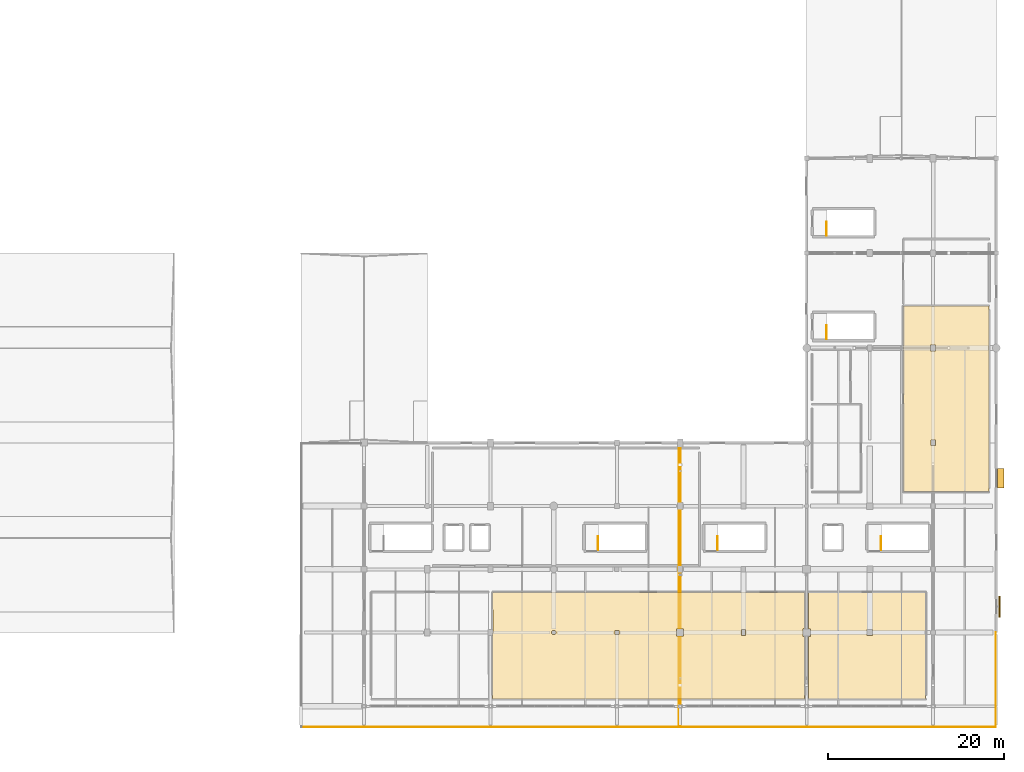
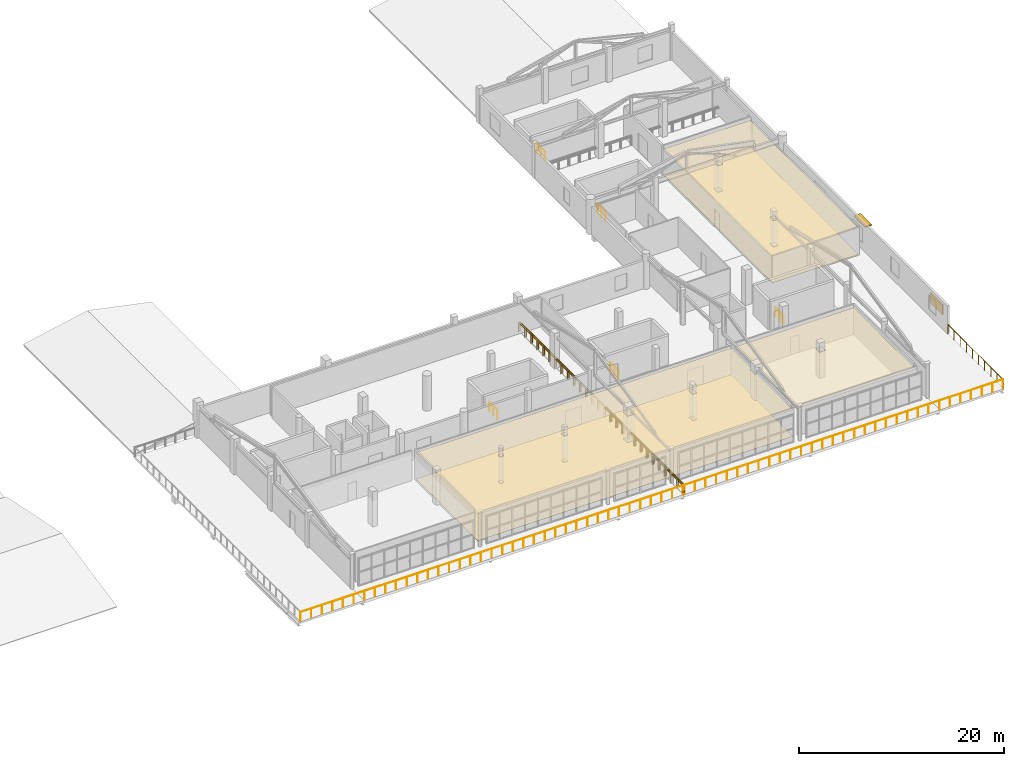
# One storey, part 40 of 41: 10 railings, 5 coverings, 2 shading devices.
"""IFC4 building model written with IfcOpenShell, lengths in metres."""

from ifc_helpers import new_model, si_unit, direction, frame, origin, origin_2d, place, context, subcontext, project, spatial, polyline, rectangle, circle, outline, extrude, material, layer, layer_set, type_object, element, save


model = new_model("IFC4")

# Units and contexts
model_context = context("Model", 3, precision=1e-05, world=origin(), true_north=direction((0.0, 1.0)))
body_context = subcontext(model_context, "Body", "Model", "MODEL_VIEW")
ifc_project = project(units=[si_unit("LENGTHUNIT", "METRE"), si_unit("AREAUNIT", "SQUARE_METRE"), si_unit("VOLUMEUNIT", "CUBIC_METRE"), si_unit("PLANEANGLEUNIT", "RADIAN"), si_unit("MASSUNIT", "GRAM", prefix="KILO")], contexts=[model_context])

# Site, building, storey
site_placement = place(None, origin())
site = spatial("IfcSite", under=ifc_project, at=site_placement, CompositionType="ELEMENT")
building_placement = place(site_placement, origin())
building = spatial("IfcBuilding", under=site, at=building_placement, Name="Solanera Park Tramway Depot", CompositionType="ELEMENT")
storey_placement = place(building_placement, frame((0.0, 0.0, 13.199951171875)))
storey = spatial("IfcBuildingStorey", under=building, at=storey_placement, Name="L03", CompositionType="ELEMENT", Elevation=13.199951171875)

# Coverings
ifc_material_1 = material(Name="Acoustic perforated plasterboard and mineral-fibre ceiling")
ifc_layer_1 = layer(ifc_material_1, 0.02001953125)
ifc_layer_set_1 = layer_set([ifc_layer_1], Name="Acoustic perforated plasterboard and mineral-fibre ceiling")
covering_type_1 = type_object("IfcCoveringType", Name="Acoustic Mineral-Fibre Ceiling 20", PredefinedType="CEILING", material=ifc_layer_set_1)
covering_1_placement = place(storey_placement, frame((0.0, 0.0, 3.150146484375)))
element("IfcCovering", 1, at=covering_1_placement, inside=storey, type_object=covering_type_1, Name="Transit Authority Civic Boardroom Acoustic Ceiling", PredefinedType="CEILING", context=body_context, shape_type="SweptSolid", body=[
    extrude(outline(polyline([(129.840087890625, 15.360107421875), (165.360107421875, 15.360107421875), (165.360107421875, 11.22802734375), (165.172119140625, 11.22802734375), (165.172119140625, 10.3720703125), (165.360107421875, 10.3720703125), (165.360107421875, 3.239990234375), (129.840087890625, 3.239990234375), (129.840087890625, 10.447021484375), (129.8779296875, 11.153076171875), (129.840087890625, 15.360107421875)]), holes=[polyline([(136.940673828125, 11.010498046875), (136.849365234375, 11.048095703125), (136.75048828125, 11.048095703125), (136.659423828125, 11.010498046875), (136.589599609375, 10.940673828125), (136.552001953125, 10.849365234375), (136.552001953125, 10.75048828125), (136.589599609375, 10.659423828125), (136.659423828125, 10.589599609375), (136.75048828125, 10.552001953125), (136.849365234375, 10.552001953125), (136.940673828125, 10.589599609375), (137.010498046875, 10.659423828125), (137.048095703125, 10.75048828125), (137.048095703125, 10.849365234375), (137.010498046875, 10.940673828125), (136.940673828125, 11.010498046875)]), polyline([(143.77197265625, 10.572021484375), (144.22802734375, 10.572021484375), (144.22802734375, 11.028076171875), (143.77197265625, 11.028076171875), (143.77197265625, 10.572021484375)]), polyline([(150.797119140625, 11.202880859375), (150.797119140625, 10.39697265625), (151.60302734375, 10.39697265625), (151.60302734375, 11.202880859375), (150.797119140625, 11.202880859375)]), polyline([(158.6279296875, 11.153076171875), (158.172119140625, 11.153076171875), (158.172119140625, 10.447021484375), (158.6279296875, 10.447021484375), (158.6279296875, 11.153076171875)])]), origin(), (0.0, 0.0, 1.0), 0.02001953125),
])
covering_2_placement = place(storey_placement, frame((0.0, 0.0, 3.150146484375)))
element("IfcCovering", 2, at=covering_2_placement, inside=storey, type_object=covering_type_1, Name="Procurement, Legal and Safety Directorate Acoustic Ceiling", PredefinedType="CEILING", context=body_context, shape_type="SweptSolid", body=[
    extrude(outline(polyline([(165.840087890625, 10.3720703125), (166.028076171875, 10.3720703125), (166.028076171875, 11.22802734375), (165.840087890625, 11.22802734375), (165.840087890625, 15.360107421875), (179.159912109375, 15.360107421875), (179.159912109375, 3.239990234375), (165.840087890625, 3.239990234375), (165.840087890625, 10.3720703125)]), holes=[polyline([(173.1279296875, 10.471923828125), (173.1279296875, 11.1279296875), (172.471923828125, 11.1279296875), (172.471923828125, 10.471923828125), (173.1279296875, 10.471923828125)])]), origin(), (0.0, 0.0, 1.0), 0.02001953125),
])
covering_3_placement = place(storey_placement, frame((0.0, 0.0, 3.150146484375)))
element("IfcCovering", 3, at=covering_3_placement, inside=storey, type_object=covering_type_1, Name="Azotea Staff Lounge and Kitchenette Acoustic Ceiling", PredefinedType="CEILING", context=body_context, shape_type="SweptSolid", body=[
    extrude(outline(polyline([(176.639892578125, 47.9599609375), (186.360107421875, 47.9599609375), (186.360107421875, 26.840087890625), (176.639892578125, 26.840087890625), (176.639892578125, 47.9599609375)]), holes=[polyline([(180.2529296875, 32.72802734375), (179.7470703125, 32.72802734375), (179.7470703125, 32.072021484375), (180.2529296875, 32.072021484375), (180.2529296875, 32.72802734375)]), polyline([(180.278076171875, 42.846923828125), (180.278076171875, 43.552978515625), (179.721923828125, 43.552978515625), (179.721923828125, 42.846923828125), (180.278076171875, 42.846923828125)])]), origin(), (0.0, 0.0, 1.0), 0.02001953125),
])

# Railings
ifc_material_2 = material(Name="Powder-coated galvanised steel balustrade", Category="steel")
ifc_layer_2 = layer(ifc_material_2, 0.06005859375)
ifc_layer_set_2 = layer_set([ifc_layer_2], Name="Powder-coated galvanised steel balustrade")
railing_type_1 = type_object("IfcRailingType", Name="Classical Wrought-Style Balustrade 1120", PredefinedType="BALUSTRADE", material=ifc_layer_set_2)
railing_1_placement = place(storey_placement, frame((151.090087890625, 32.080078125, 0.0)))
element("IfcRailing", 4, at=railing_1_placement, inside=storey, type_object=railing_type_1, Name="L03 Perimeter Deck Balustrade #052", PredefinedType="BALUSTRADE", context=body_context, shape_type="SweptSolid", body=[
    extrude(circle(Radius=0.02392578125, at=origin_2d()), frame((0.0, 0.0, 1.09619140625), z_axis=(0.0, -1.0, 0.0), x_axis=(1.0, 0.0, 0.0)), (0.0, 0.0, 1.0), 32.02001953125),
    extrude(circle(Radius=0.02099609375, at=origin_2d()), origin(), (0.0, 0.0, 1.0), 1.072021484375),
    extrude(circle(Radius=0.02099609375, at=origin_2d()), frame((0.0, -1.18603515625, 0.0)), (0.0, 0.0, 1.0), 1.072021484375),
    extrude(circle(Radius=0.02099609375, at=origin_2d()), frame((0.0, -2.371826171875, 0.0)), (0.0, 0.0, 1.0), 1.072021484375),
    extrude(circle(Radius=0.02099609375, at=origin_2d()), frame((0.0, -3.557861328125, 0.0)), (0.0, 0.0, 1.0), 1.072021484375),
    extrude(circle(Radius=0.02099609375, at=origin_2d()), frame((0.0, -4.74365234375, 0.0)), (0.0, 0.0, 1.0), 1.072021484375),
    extrude(circle(Radius=0.02099609375, at=origin_2d()), frame((0.0, -5.9296875, 0.0)), (0.0, 0.0, 1.0), 1.072021484375),
    extrude(circle(Radius=0.02099609375, at=origin_2d()), frame((0.0, -7.115478515625, 0.0)), (0.0, 0.0, 1.0), 1.072021484375),
    extrude(circle(Radius=0.02099609375, at=origin_2d()), frame((0.0, -8.301513671875, 0.0)), (0.0, 0.0, 1.0), 1.072021484375),
    extrude(circle(Radius=0.02099609375, at=origin_2d()), frame((0.0, -9.4873046875, 0.0)), (0.0, 0.0, 1.0), 1.072021484375),
    extrude(circle(Radius=0.02099609375, at=origin_2d()), frame((0.0, -10.67333984375, 0.0)), (0.0, 0.0, 1.0), 1.072021484375),
    extrude(circle(Radius=0.02099609375, at=origin_2d()), frame((0.0, -11.859375, 0.0)), (0.0, 0.0, 1.0), 1.072021484375),
    extrude(circle(Radius=0.02099609375, at=origin_2d()), frame((0.0, -13.045166015625, 0.0)), (0.0, 0.0, 1.0), 1.072021484375),
    extrude(circle(Radius=0.02099609375, at=origin_2d()), frame((0.0, -14.231201171875, 0.0)), (0.0, 0.0, 1.0), 1.072021484375),
    extrude(circle(Radius=0.02099609375, at=origin_2d()), frame((0.0, -15.4169921875, 0.0)), (0.0, 0.0, 1.0), 1.072021484375),
    extrude(circle(Radius=0.02099609375, at=origin_2d()), frame((0.0, -16.60302734375, 0.0)), (0.0, 0.0, 1.0), 1.072021484375),
    extrude(circle(Radius=0.02099609375, at=origin_2d()), frame((0.0, -17.788818359375, 0.0)), (0.0, 0.0, 1.0), 1.072021484375),
    extrude(circle(Radius=0.02099609375, at=origin_2d()), frame((0.0, -18.974853515625, 0.0)), (0.0, 0.0, 1.0), 1.072021484375),
    extrude(circle(Radius=0.02099609375, at=origin_2d()), frame((0.0, -20.16064453125, 0.0)), (0.0, 0.0, 1.0), 1.072021484375),
    extrude(circle(Radius=0.02099609375, at=origin_2d()), frame((0.0, -21.3466796875, 0.0)), (0.0, 0.0, 1.0), 1.072021484375),
    extrude(circle(Radius=0.02099609375, at=origin_2d()), frame((0.0, -22.53271484375, 0.0)), (0.0, 0.0, 1.0), 1.072021484375),
    extrude(circle(Radius=0.02099609375, at=origin_2d()), frame((0.0, -23.718505859375, 0.0)), (0.0, 0.0, 1.0), 1.072021484375),
    extrude(circle(Radius=0.02099609375, at=origin_2d()), frame((0.0, -24.904541015625, 0.0)), (0.0, 0.0, 1.0), 1.072021484375),
    extrude(circle(Radius=0.02099609375, at=origin_2d()), frame((0.0, -26.09033203125, 0.0)), (0.0, 0.0, 1.0), 1.072021484375),
    extrude(circle(Radius=0.02099609375, at=origin_2d()), frame((0.0, -27.2763671875, 0.0)), (0.0, 0.0, 1.0), 1.072021484375),
    extrude(circle(Radius=0.02099609375, at=origin_2d()), frame((0.0, -28.462158203125, 0.0)), (0.0, 0.0, 1.0), 1.072021484375),
    extrude(circle(Radius=0.02099609375, at=origin_2d()), frame((0.0, -29.648193359375, 0.0)), (0.0, 0.0, 1.0), 1.072021484375),
    extrude(circle(Radius=0.02099609375, at=origin_2d()), frame((0.0, -30.833984375, 0.0)), (0.0, 0.0, 1.0), 1.072021484375),
    extrude(circle(Radius=0.02099609375, at=origin_2d()), frame((0.0, -32.02001953125, 0.0)), (0.0, 0.0, 1.0), 1.072021484375),
])
railing_2_placement = place(storey_placement, frame((151.090087890625, 0.06005859375, 0.0)))
element("IfcRailing", 5, at=railing_2_placement, inside=storey, type_object=railing_type_1, Name="L03 Perimeter Deck Balustrade #053", PredefinedType="BALUSTRADE", context=body_context, shape_type="SweptSolid", body=[
    extrude(circle(Radius=0.02392578125, at=origin_2d()), frame((0.0, 0.0, 1.09619140625), z_axis=(-1.0, 0.0, 0.0), x_axis=(0.0, -1.0, 0.0)), (0.0, 0.0, 1.0), 43.030029296875),
    extrude(circle(Radius=0.02099609375, at=origin_2d()), origin(), (0.0, 0.0, 1.0), 1.072021484375),
    extrude(circle(Radius=0.02099609375, at=origin_2d()), frame((-1.1953125, 0.0, 0.0)), (0.0, 0.0, 1.0), 1.072021484375),
    extrude(circle(Radius=0.02099609375, at=origin_2d()), frame((-2.390625, 0.0, 0.0)), (0.0, 0.0, 1.0), 1.072021484375),
    extrude(circle(Radius=0.02099609375, at=origin_2d()), frame((-3.5859375, 0.0, 0.0)), (0.0, 0.0, 1.0), 1.072021484375),
    extrude(circle(Radius=0.02099609375, at=origin_2d()), frame((-4.781005859375, 0.0, 0.0)), (0.0, 0.0, 1.0), 1.072021484375),
    extrude(circle(Radius=0.02099609375, at=origin_2d()), frame((-5.976318359375, 0.0, 0.0)), (0.0, 0.0, 1.0), 1.072021484375),
    extrude(circle(Radius=0.02099609375, at=origin_2d()), frame((-7.171630859375, 0.0, 0.0)), (0.0, 0.0, 1.0), 1.072021484375),
    extrude(circle(Radius=0.02099609375, at=origin_2d()), frame((-8.366943359375, 0.0, 0.0)), (0.0, 0.0, 1.0), 1.072021484375),
    extrude(circle(Radius=0.02099609375, at=origin_2d()), frame((-9.562255859375, 0.0, 0.0)), (0.0, 0.0, 1.0), 1.072021484375),
    extrude(circle(Radius=0.02099609375, at=origin_2d()), frame((-10.757568359375, 0.0, 0.0)), (0.0, 0.0, 1.0), 1.072021484375),
    extrude(circle(Radius=0.02099609375, at=origin_2d()), frame((-11.952880859375, 0.0, 0.0)), (0.0, 0.0, 1.0), 1.072021484375),
    extrude(circle(Radius=0.02099609375, at=origin_2d()), frame((-13.14794921875, 0.0, 0.0)), (0.0, 0.0, 1.0), 1.072021484375),
    extrude(circle(Radius=0.02099609375, at=origin_2d()), frame((-14.34326171875, 0.0, 0.0)), (0.0, 0.0, 1.0), 1.072021484375),
    extrude(circle(Radius=0.02099609375, at=origin_2d()), frame((-15.53857421875, 0.0, 0.0)), (0.0, 0.0, 1.0), 1.072021484375),
    extrude(circle(Radius=0.02099609375, at=origin_2d()), frame((-16.73388671875, 0.0, 0.0)), (0.0, 0.0, 1.0), 1.072021484375),
    extrude(circle(Radius=0.02099609375, at=origin_2d()), frame((-17.92919921875, 0.0, 0.0)), (0.0, 0.0, 1.0), 1.072021484375),
    extrude(circle(Radius=0.02099609375, at=origin_2d()), frame((-19.12451171875, 0.0, 0.0)), (0.0, 0.0, 1.0), 1.072021484375),
    extrude(circle(Radius=0.02099609375, at=origin_2d()), frame((-20.31982421875, 0.0, 0.0)), (0.0, 0.0, 1.0), 1.072021484375),
    extrude(circle(Radius=0.02099609375, at=origin_2d()), frame((-21.51513671875, 0.0, 0.0)), (0.0, 0.0, 1.0), 1.072021484375),
    extrude(circle(Radius=0.02099609375, at=origin_2d()), frame((-22.710205078125, 0.0, 0.0)), (0.0, 0.0, 1.0), 1.072021484375),
    extrude(circle(Radius=0.02099609375, at=origin_2d()), frame((-23.905517578125, 0.0, 0.0)), (0.0, 0.0, 1.0), 1.072021484375),
    extrude(circle(Radius=0.02099609375, at=origin_2d()), frame((-25.100830078125, 0.0, 0.0)), (0.0, 0.0, 1.0), 1.072021484375),
    extrude(circle(Radius=0.02099609375, at=origin_2d()), frame((-26.296142578125, 0.0, 0.0)), (0.0, 0.0, 1.0), 1.072021484375),
    extrude(circle(Radius=0.02099609375, at=origin_2d()), frame((-27.491455078125, 0.0, 0.0)), (0.0, 0.0, 1.0), 1.072021484375),
    extrude(circle(Radius=0.02099609375, at=origin_2d()), frame((-28.686767578125, 0.0, 0.0)), (0.0, 0.0, 1.0), 1.072021484375),
    extrude(circle(Radius=0.02099609375, at=origin_2d()), frame((-29.882080078125, 0.0, 0.0)), (0.0, 0.0, 1.0), 1.072021484375),
    extrude(circle(Radius=0.02099609375, at=origin_2d()), frame((-31.0771484375, 0.0, 0.0)), (0.0, 0.0, 1.0), 1.072021484375),
    extrude(circle(Radius=0.02099609375, at=origin_2d()), frame((-32.2724609375, 0.0, 0.0)), (0.0, 0.0, 1.0), 1.072021484375),
    extrude(circle(Radius=0.02099609375, at=origin_2d()), frame((-33.4677734375, 0.0, 0.0)), (0.0, 0.0, 1.0), 1.072021484375),
    extrude(circle(Radius=0.02099609375, at=origin_2d()), frame((-34.6630859375, 0.0, 0.0)), (0.0, 0.0, 1.0), 1.072021484375),
    extrude(circle(Radius=0.02099609375, at=origin_2d()), frame((-35.8583984375, 0.0, 0.0)), (0.0, 0.0, 1.0), 1.072021484375),
    extrude(circle(Radius=0.02099609375, at=origin_2d()), frame((-37.0537109375, 0.0, 0.0)), (0.0, 0.0, 1.0), 1.072021484375),
    extrude(circle(Radius=0.02099609375, at=origin_2d()), frame((-38.2490234375, 0.0, 0.0)), (0.0, 0.0, 1.0), 1.072021484375),
    extrude(circle(Radius=0.02099609375, at=origin_2d()), frame((-39.444091796875, 0.0, 0.0)), (0.0, 0.0, 1.0), 1.072021484375),
    extrude(circle(Radius=0.02099609375, at=origin_2d()), frame((-40.639404296875, 0.0, 0.0)), (0.0, 0.0, 1.0), 1.072021484375),
    extrude(circle(Radius=0.02099609375, at=origin_2d()), frame((-41.834716796875, 0.0, 0.0)), (0.0, 0.0, 1.0), 1.072021484375),
    extrude(circle(Radius=0.02099609375, at=origin_2d()), frame((-43.030029296875, 0.0, 0.0)), (0.0, 0.0, 1.0), 1.072021484375),
])
railing_3_placement = place(storey_placement, frame((187.139892578125, 10.800048828125, 0.0)))
element("IfcRailing", 6, at=railing_3_placement, inside=storey, type_object=railing_type_1, Name="L03 Perimeter Deck Balustrade #056", PredefinedType="BALUSTRADE", context=body_context, shape_type="SweptSolid", body=[
    extrude(circle(Radius=0.02392578125, at=origin_2d()), frame((0.0, 0.0, 1.09619140625), z_axis=(0.0, -1.0, 0.0), x_axis=(1.0, 0.0, 0.0)), (0.0, 0.0, 1.0), 10.739990234375),
    extrude(circle(Radius=0.02099609375, at=origin_2d()), origin(), (0.0, 0.0, 1.0), 1.072021484375),
    extrude(circle(Radius=0.02099609375, at=origin_2d()), frame((0.0, -1.193359375, 0.0)), (0.0, 0.0, 1.0), 1.072021484375),
    extrude(circle(Radius=0.02099609375, at=origin_2d()), frame((0.0, -2.38671875, 0.0)), (0.0, 0.0, 1.0), 1.072021484375),
    extrude(circle(Radius=0.02099609375, at=origin_2d()), frame((0.0, -3.580078125, 0.0)), (0.0, 0.0, 1.0), 1.072021484375),
    extrude(circle(Radius=0.02099609375, at=origin_2d()), frame((0.0, -4.7734375, 0.0)), (0.0, 0.0, 1.0), 1.072021484375),
    extrude(circle(Radius=0.02099609375, at=origin_2d()), frame((0.0, -5.966552734375, 0.0)), (0.0, 0.0, 1.0), 1.072021484375),
    extrude(circle(Radius=0.02099609375, at=origin_2d()), frame((0.0, -7.159912109375, 0.0)), (0.0, 0.0, 1.0), 1.072021484375),
    extrude(circle(Radius=0.02099609375, at=origin_2d()), frame((0.0, -8.353271484375, 0.0)), (0.0, 0.0, 1.0), 1.072021484375),
    extrude(circle(Radius=0.02099609375, at=origin_2d()), frame((0.0, -9.546630859375, 0.0)), (0.0, 0.0, 1.0), 1.072021484375),
    extrude(circle(Radius=0.02099609375, at=origin_2d()), frame((0.0, -10.739990234375, 0.0)), (0.0, 0.0, 1.0), 1.072021484375),
])
railing_4_placement = place(storey_placement, frame((187.139892578125, 0.06005859375, 0.0)))
element("IfcRailing", 7, at=railing_4_placement, inside=storey, type_object=railing_type_1, Name="L03 Perimeter Deck Balustrade #057", PredefinedType="BALUSTRADE", context=body_context, shape_type="SweptSolid", body=[
    extrude(circle(Radius=0.02392578125, at=origin_2d()), frame((0.0, 0.0, 1.09619140625), z_axis=(-1.0, 0.0, 0.0), x_axis=(0.0, -1.0, 0.0)), (0.0, 0.0, 1.0), 35.8798828125),
    extrude(circle(Radius=0.02099609375, at=origin_2d()), origin(), (0.0, 0.0, 1.0), 1.072021484375),
    extrude(circle(Radius=0.02099609375, at=origin_2d()), frame((-1.196044921875, 0.0, 0.0)), (0.0, 0.0, 1.0), 1.072021484375),
    extrude(circle(Radius=0.02099609375, at=origin_2d()), frame((-2.39208984375, 0.0, 0.0)), (0.0, 0.0, 1.0), 1.072021484375),
    extrude(circle(Radius=0.02099609375, at=origin_2d()), frame((-3.587890625, 0.0, 0.0)), (0.0, 0.0, 1.0), 1.072021484375),
    extrude(circle(Radius=0.02099609375, at=origin_2d()), frame((-4.783935546875, 0.0, 0.0)), (0.0, 0.0, 1.0), 1.072021484375),
    extrude(circle(Radius=0.02099609375, at=origin_2d()), frame((-5.97998046875, 0.0, 0.0)), (0.0, 0.0, 1.0), 1.072021484375),
    extrude(circle(Radius=0.02099609375, at=origin_2d()), frame((-7.176025390625, 0.0, 0.0)), (0.0, 0.0, 1.0), 1.072021484375),
    extrude(circle(Radius=0.02099609375, at=origin_2d()), frame((-8.3720703125, 0.0, 0.0)), (0.0, 0.0, 1.0), 1.072021484375),
    extrude(circle(Radius=0.02099609375, at=origin_2d()), frame((-9.56787109375, 0.0, 0.0)), (0.0, 0.0, 1.0), 1.072021484375),
    extrude(circle(Radius=0.02099609375, at=origin_2d()), frame((-10.763916015625, 0.0, 0.0)), (0.0, 0.0, 1.0), 1.072021484375),
    extrude(circle(Radius=0.02099609375, at=origin_2d()), frame((-11.9599609375, 0.0, 0.0)), (0.0, 0.0, 1.0), 1.072021484375),
    extrude(circle(Radius=0.02099609375, at=origin_2d()), frame((-13.156005859375, 0.0, 0.0)), (0.0, 0.0, 1.0), 1.072021484375),
    extrude(circle(Radius=0.02099609375, at=origin_2d()), frame((-14.35205078125, 0.0, 0.0)), (0.0, 0.0, 1.0), 1.072021484375),
    extrude(circle(Radius=0.02099609375, at=origin_2d()), frame((-15.5478515625, 0.0, 0.0)), (0.0, 0.0, 1.0), 1.072021484375),
    extrude(circle(Radius=0.02099609375, at=origin_2d()), frame((-16.743896484375, 0.0, 0.0)), (0.0, 0.0, 1.0), 1.072021484375),
    extrude(circle(Radius=0.02099609375, at=origin_2d()), frame((-17.93994140625, 0.0, 0.0)), (0.0, 0.0, 1.0), 1.072021484375),
    extrude(circle(Radius=0.02099609375, at=origin_2d()), frame((-19.135986328125, 0.0, 0.0)), (0.0, 0.0, 1.0), 1.072021484375),
    extrude(circle(Radius=0.02099609375, at=origin_2d()), frame((-20.33203125, 0.0, 0.0)), (0.0, 0.0, 1.0), 1.072021484375),
    extrude(circle(Radius=0.02099609375, at=origin_2d()), frame((-21.52783203125, 0.0, 0.0)), (0.0, 0.0, 1.0), 1.072021484375),
    extrude(circle(Radius=0.02099609375, at=origin_2d()), frame((-22.723876953125, 0.0, 0.0)), (0.0, 0.0, 1.0), 1.072021484375),
    extrude(circle(Radius=0.02099609375, at=origin_2d()), frame((-23.919921875, 0.0, 0.0)), (0.0, 0.0, 1.0), 1.072021484375),
    extrude(circle(Radius=0.02099609375, at=origin_2d()), frame((-25.115966796875, 0.0, 0.0)), (0.0, 0.0, 1.0), 1.072021484375),
    extrude(circle(Radius=0.02099609375, at=origin_2d()), frame((-26.31201171875, 0.0, 0.0)), (0.0, 0.0, 1.0), 1.072021484375),
    extrude(circle(Radius=0.02099609375, at=origin_2d()), frame((-27.5078125, 0.0, 0.0)), (0.0, 0.0, 1.0), 1.072021484375),
    extrude(circle(Radius=0.02099609375, at=origin_2d()), frame((-28.703857421875, 0.0, 0.0)), (0.0, 0.0, 1.0), 1.072021484375),
    extrude(circle(Radius=0.02099609375, at=origin_2d()), frame((-29.89990234375, 0.0, 0.0)), (0.0, 0.0, 1.0), 1.072021484375),
    extrude(circle(Radius=0.02099609375, at=origin_2d()), frame((-31.095947265625, 0.0, 0.0)), (0.0, 0.0, 1.0), 1.072021484375),
    extrude(circle(Radius=0.02099609375, at=origin_2d()), frame((-32.2919921875, 0.0, 0.0)), (0.0, 0.0, 1.0), 1.072021484375),
    extrude(circle(Radius=0.02099609375, at=origin_2d()), frame((-33.48779296875, 0.0, 0.0)), (0.0, 0.0, 1.0), 1.072021484375),
    extrude(circle(Radius=0.02099609375, at=origin_2d()), frame((-34.683837890625, 0.0, 0.0)), (0.0, 0.0, 1.0), 1.072021484375),
    extrude(circle(Radius=0.02099609375, at=origin_2d()), frame((-35.8798828125, 0.0, 0.0)), (0.0, 0.0, 1.0), 1.072021484375),
])
railing_5_placement = place(storey_placement, frame((151.260009765625, 0.06005859375, 0.0)))
element("IfcRailing", 8, at=railing_5_placement, inside=storey, type_object=railing_type_1, Name="L03 Perimeter Deck Balustrade #058", PredefinedType="BALUSTRADE", context=body_context, shape_type="SweptSolid", body=[
    extrude(circle(Radius=0.02392578125, at=origin_2d()), frame((0.0, 0.0, 1.09619140625), z_axis=(0.0, 1.0, 0.0), x_axis=(-1.0, 0.0, 0.0)), (0.0, 0.0, 1.0), 32.02001953125),
    extrude(circle(Radius=0.02099609375, at=origin_2d()), origin(), (0.0, 0.0, 1.0), 1.072021484375),
    extrude(circle(Radius=0.02099609375, at=origin_2d()), frame((0.0, 1.18603515625, 0.0)), (0.0, 0.0, 1.0), 1.072021484375),
    extrude(circle(Radius=0.02099609375, at=origin_2d()), frame((0.0, 2.371826171875, 0.0)), (0.0, 0.0, 1.0), 1.072021484375),
    extrude(circle(Radius=0.02099609375, at=origin_2d()), frame((0.0, 3.557861328125, 0.0)), (0.0, 0.0, 1.0), 1.072021484375),
    extrude(circle(Radius=0.02099609375, at=origin_2d()), frame((0.0, 4.74365234375, 0.0)), (0.0, 0.0, 1.0), 1.072021484375),
    extrude(circle(Radius=0.02099609375, at=origin_2d()), frame((0.0, 5.9296875, 0.0)), (0.0, 0.0, 1.0), 1.072021484375),
    extrude(circle(Radius=0.02099609375, at=origin_2d()), frame((0.0, 7.115478515625, 0.0)), (0.0, 0.0, 1.0), 1.072021484375),
    extrude(circle(Radius=0.02099609375, at=origin_2d()), frame((0.0, 8.301513671875, 0.0)), (0.0, 0.0, 1.0), 1.072021484375),
    extrude(circle(Radius=0.02099609375, at=origin_2d()), frame((0.0, 9.4873046875, 0.0)), (0.0, 0.0, 1.0), 1.072021484375),
    extrude(circle(Radius=0.02099609375, at=origin_2d()), frame((0.0, 10.67333984375, 0.0)), (0.0, 0.0, 1.0), 1.072021484375),
    extrude(circle(Radius=0.02099609375, at=origin_2d()), frame((0.0, 11.859375, 0.0)), (0.0, 0.0, 1.0), 1.072021484375),
    extrude(circle(Radius=0.02099609375, at=origin_2d()), frame((0.0, 13.045166015625, 0.0)), (0.0, 0.0, 1.0), 1.072021484375),
    extrude(circle(Radius=0.02099609375, at=origin_2d()), frame((0.0, 14.231201171875, 0.0)), (0.0, 0.0, 1.0), 1.072021484375),
    extrude(circle(Radius=0.02099609375, at=origin_2d()), frame((0.0, 15.4169921875, 0.0)), (0.0, 0.0, 1.0), 1.072021484375),
    extrude(circle(Radius=0.02099609375, at=origin_2d()), frame((0.0, 16.60302734375, 0.0)), (0.0, 0.0, 1.0), 1.072021484375),
    extrude(circle(Radius=0.02099609375, at=origin_2d()), frame((0.0, 17.788818359375, 0.0)), (0.0, 0.0, 1.0), 1.072021484375),
    extrude(circle(Radius=0.02099609375, at=origin_2d()), frame((0.0, 18.974853515625, 0.0)), (0.0, 0.0, 1.0), 1.072021484375),
    extrude(circle(Radius=0.02099609375, at=origin_2d()), frame((0.0, 20.16064453125, 0.0)), (0.0, 0.0, 1.0), 1.072021484375),
    extrude(circle(Radius=0.02099609375, at=origin_2d()), frame((0.0, 21.3466796875, 0.0)), (0.0, 0.0, 1.0), 1.072021484375),
    extrude(circle(Radius=0.02099609375, at=origin_2d()), frame((0.0, 22.53271484375, 0.0)), (0.0, 0.0, 1.0), 1.072021484375),
    extrude(circle(Radius=0.02099609375, at=origin_2d()), frame((0.0, 23.718505859375, 0.0)), (0.0, 0.0, 1.0), 1.072021484375),
    extrude(circle(Radius=0.02099609375, at=origin_2d()), frame((0.0, 24.904541015625, 0.0)), (0.0, 0.0, 1.0), 1.072021484375),
    extrude(circle(Radius=0.02099609375, at=origin_2d()), frame((0.0, 26.09033203125, 0.0)), (0.0, 0.0, 1.0), 1.072021484375),
    extrude(circle(Radius=0.02099609375, at=origin_2d()), frame((0.0, 27.2763671875, 0.0)), (0.0, 0.0, 1.0), 1.072021484375),
    extrude(circle(Radius=0.02099609375, at=origin_2d()), frame((0.0, 28.462158203125, 0.0)), (0.0, 0.0, 1.0), 1.072021484375),
    extrude(circle(Radius=0.02099609375, at=origin_2d()), frame((0.0, 29.648193359375, 0.0)), (0.0, 0.0, 1.0), 1.072021484375),
    extrude(circle(Radius=0.02099609375, at=origin_2d()), frame((0.0, 30.833984375, 0.0)), (0.0, 0.0, 1.0), 1.072021484375),
    extrude(circle(Radius=0.02099609375, at=origin_2d()), frame((0.0, 32.02001953125, 0.0)), (0.0, 0.0, 1.0), 1.072021484375),
])
ifc_material_3 = material(Name="Steel AS/NZS 1163 Grade C350L0", Category="steel")
ifc_layer_3 = layer(ifc_material_3, 0.06005859375)
ifc_layer_set_3 = layer_set([ifc_layer_3], Name="Steel AS/NZS 1163 Grade C350L0")
railing_type_2 = type_object("IfcRailingType", Name="Stairwell Guardrail 1100", PredefinedType="GUARDRAIL", material=ifc_layer_set_3)
for number, where, name in (
    (9, (141.85009765625, 20.199951171875, 0.0), "ST-02 Top Landing Guard 1"),
    (10, (155.449951171875, 20.199951171875, 0.0), "ST-03 Top Landing Guard 1"),
    (11, (174.050048828125, 20.199951171875, 0.0), "ST-04 Top Landing Guard 1"),
    (12, (167.85009765625, 44.199951171875, 0.0), "ST-05 Top Landing Guard 1"),
    (13, (167.85009765625, 56.0, 0.0), "ST-06 Top Landing Guard 1"),
):
    element("IfcRailing", number, at=place(storey_placement, frame(where)), inside=storey, type_object=railing_type_2, Name=name, PredefinedType="GUARDRAIL", context=body_context, shape_type="SweptSolid", body=[
        extrude(circle(Radius=0.02392578125, at=origin_2d()), frame((0.0, 0.0, 1.076171875), z_axis=(0.0, 1.0, 0.0), x_axis=(-1.0, 0.0, 0.0)), (0.0, 0.0, 1.0), 1.550048828125),
        extrude(circle(Radius=0.02099609375, at=origin_2d()), origin(), (0.0, 0.0, 1.0), 1.052001953125),
        extrude(circle(Radius=0.02099609375, at=origin_2d()), frame((0.0, 0.77490234375, 0.0)), (0.0, 0.0, 1.0), 1.052001953125),
        extrude(circle(Radius=0.02099609375, at=origin_2d()), frame((0.0, 1.550048828125, 0.0)), (0.0, 0.0, 1.0), 1.052001953125),
    ])

# Shading device
ifc_material_4 = material(Name="Extruded terracotta brise-soleil hood", Category="masonry")
shading_device_type_1 = type_object("IfcShadingDeviceType", Name="Terracotta Brise-Soleil Sunshade Hood 2200x750", PredefinedType="USERDEFINED", material=ifc_material_4)
shading_device_1_placement = place(storey_placement, frame((187.699951171875, 28.375, 2.580078125), z_axis=(0.0, 0.0, 1.0), x_axis=(0.0, 1.0, 0.0)))
element("IfcShadingDevice", 14, at=shading_device_1_placement, inside=storey, type_object=shading_device_type_1, Name="Terracotta Brise-Soleil Sunshade #035", ObjectType="SUNSHADE", PredefinedType="USERDEFINED", context=body_context, shape_type="SweptSolid", body=[
    extrude(rectangle(XDim=2.199951171875, YDim=0.75, at=origin_2d()), origin(), (0.0, 0.0, 1.0), 0.1201171875),
])

# Coverings
ifc_material_5 = material(Name="Vitrified terracotta quarry floor tile", Category="masonry")
ifc_layer_4 = layer(ifc_material_5, 0.01806640625)
ifc_layer_set_4 = layer_set([ifc_layer_4], Name="Vitrified terracotta quarry floor tile")
covering_type_2 = type_object("IfcCoveringType", Name="Terracotta Quarry Tile Flooring 18", PredefinedType="FLOORING", material=ifc_layer_set_4)
covering_4_placement = place(storey_placement, origin())
element("IfcCovering", 15, at=covering_4_placement, inside=storey, type_object=covering_type_2, Name="Transit Authority Civic Boardroom Floor Finish", PredefinedType="FLOORING", context=body_context, shape_type="SweptSolid", body=[
    extrude(outline(polyline([(129.840087890625, 15.360107421875), (165.360107421875, 15.360107421875), (165.360107421875, 11.22998046875), (165.169921875, 11.22998046875), (165.169921875, 10.3701171875), (165.360107421875, 10.3701171875), (165.360107421875, 3.239990234375), (129.840087890625, 3.239990234375), (129.840087890625, 10.445068359375), (129.8798828125, 11.155029296875), (129.840087890625, 15.360107421875)]), holes=[polyline([(136.941650390625, 11.011962890625), (136.897705078125, 11.03564453125), (136.849609375, 11.050048828125), (136.750244140625, 11.050048828125), (136.702392578125, 11.03564453125), (136.658203125, 11.011962890625), (136.587890625, 10.941650390625), (136.564453125, 10.897705078125), (136.5498046875, 10.849609375), (136.5498046875, 10.750244140625), (136.564453125, 10.702392578125), (136.587890625, 10.658203125), (136.658203125, 10.587890625), (136.702392578125, 10.564453125), (136.750244140625, 10.5498046875), (136.849609375, 10.5498046875), (136.897705078125, 10.564453125), (136.941650390625, 10.587890625), (137.011962890625, 10.658203125), (137.03564453125, 10.702392578125), (137.050048828125, 10.750244140625), (137.050048828125, 10.849609375), (137.03564453125, 10.897705078125), (137.011962890625, 10.941650390625), (136.941650390625, 11.011962890625)]), polyline([(143.77001953125, 10.570068359375), (144.22998046875, 10.570068359375), (144.22998046875, 11.030029296875), (143.77001953125, 11.030029296875), (143.77001953125, 10.570068359375)]), polyline([(150.794921875, 11.205078125), (150.794921875, 10.39501953125), (151.60498046875, 10.39501953125), (151.60498046875, 11.205078125), (150.794921875, 11.205078125)]), polyline([(158.6298828125, 11.155029296875), (158.169921875, 11.155029296875), (158.169921875, 10.445068359375), (158.6298828125, 10.445068359375), (158.6298828125, 11.155029296875)])]), origin(), (0.0, 0.0, 1.0), 0.01806640625),
])
covering_5_placement = place(storey_placement, origin())
element("IfcCovering", 16, at=covering_5_placement, inside=storey, type_object=covering_type_2, Name="Azotea Staff Lounge and Kitchenette Floor Finish", PredefinedType="FLOORING", context=body_context, shape_type="SweptSolid", body=[
    extrude(outline(polyline([(176.639892578125, 47.9599609375), (186.360107421875, 47.9599609375), (186.360107421875, 26.840087890625), (176.639892578125, 26.840087890625), (176.639892578125, 47.9599609375)]), holes=[polyline([(180.2548828125, 32.72998046875), (179.7451171875, 32.72998046875), (179.7451171875, 32.070068359375), (180.2548828125, 32.070068359375), (180.2548828125, 32.72998046875)]), polyline([(180.280029296875, 42.844970703125), (180.280029296875, 43.554931640625), (179.719970703125, 43.554931640625), (179.719970703125, 42.844970703125), (180.280029296875, 42.844970703125)])]), origin(), (0.0, 0.0, 1.0), 0.01806640625),
])

# Shading device
ifc_material_6 = material(Name="Powder-coated aluminium aerofoil louvre", Category="aluminium")
shading_device_type_2 = type_object("IfcShadingDeviceType", Name="Timber-Look Aluminium Jalousie Louvre 2400x1200", PredefinedType="JALOUSIE", material=ifc_material_6)
shading_device_2_placement = place(storey_placement, frame((187.56494140625, 13.75, 1.05517578125), z_axis=(0.0, 0.0, 1.0), x_axis=(0.0, 1.0, 0.0)))
element("IfcShadingDevice", 17, at=shading_device_2_placement, inside=storey, type_object=shading_device_type_2, Name="Jalousie Louvre Screen #034", PredefinedType="JALOUSIE", context=body_context, shape_type="SweptSolid", body=[
    extrude(rectangle(XDim=2.39990234375, YDim=0.1201171875, at=origin_2d()), origin(), (0.0, 0.0, 1.0), 1.199951171875),
])

save(model, "model.ifc")
